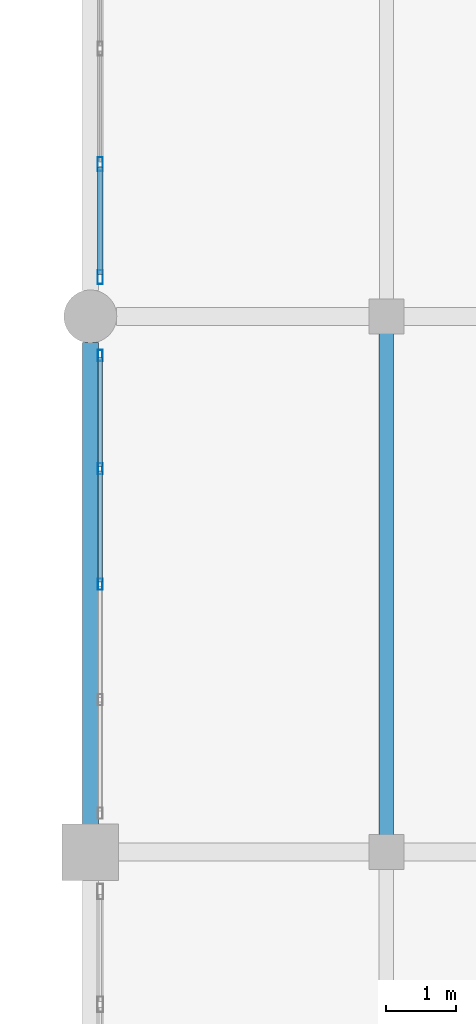
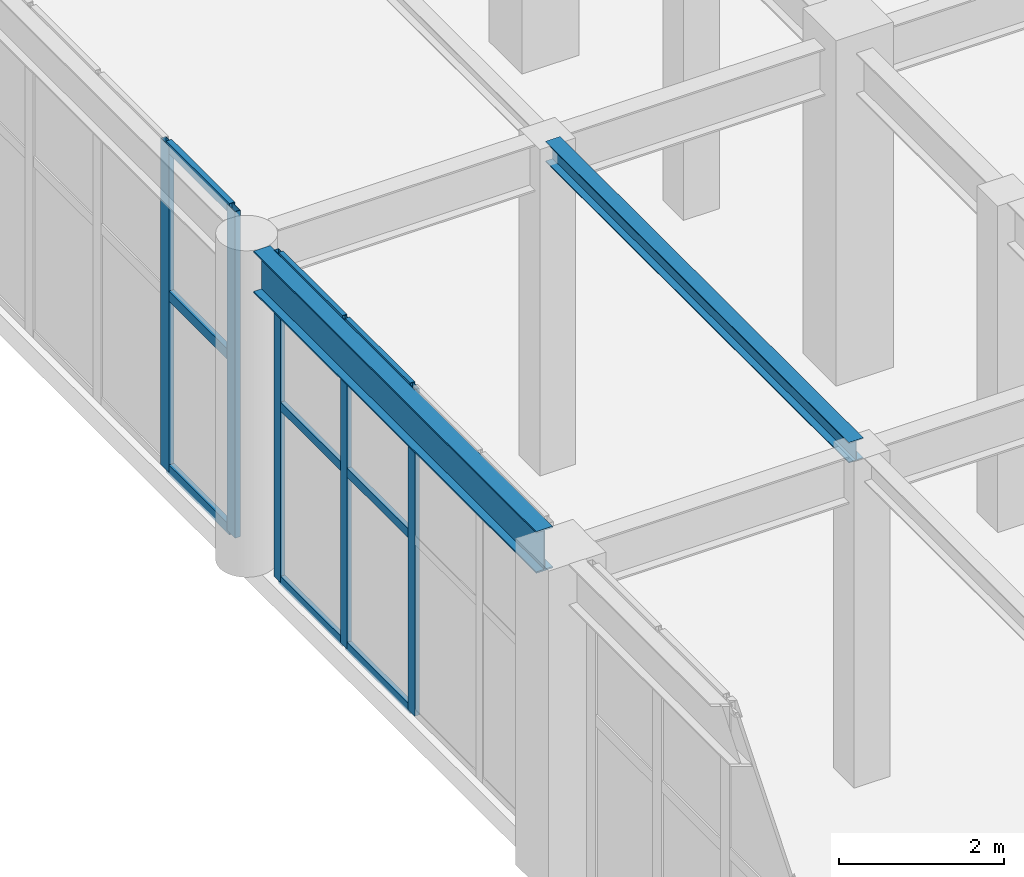
# One storey, part 31 of 128: 14 members, 2 beams, 2 elements without a shape of their own.
"""IFC4 building model written with IfcOpenShell, lengths in metres."""

from ifc_helpers import new_model, si_unit, direction, frame, origin, origin_2d, place, context, subcontext, project, spatial, hollow_rectangle, i_section, extrude, material, layer, layer_set, material_profile, profile_set, type_object, element, aggregate, save


model = new_model("IFC4")

# Units and contexts
model_context = context("Model", 3, precision=1e-05, world=origin(), true_north=direction((0.0, 1.0)))
body_context = subcontext(model_context, "Body", "Model", "MODEL_VIEW")
ifc_project = project(units=[si_unit("LENGTHUNIT", "METRE"), si_unit("AREAUNIT", "SQUARE_METRE"), si_unit("VOLUMEUNIT", "CUBIC_METRE"), si_unit("PLANEANGLEUNIT", "RADIAN"), si_unit("MASSUNIT", "GRAM", prefix="KILO")], contexts=[model_context])

# Site, building, storey
site_placement = place(None, origin())
site = spatial("IfcSite", under=ifc_project, at=site_placement, CompositionType="ELEMENT")
building_placement = place(site_placement, origin())
building = spatial("IfcBuilding", under=site, at=building_placement, Name="Xicomal Pleat Aquarium", CompositionType="ELEMENT")
storey_placement = place(building_placement, frame((0.0, 0.0, 5.39990234375)))
storey = spatial("IfcBuildingStorey", under=building, at=storey_placement, Name="L02", CompositionType="ELEMENT", Elevation=5.39990234375)

# Beams
ifc_material_1 = material(Name="Structural steel A992 Gr 50", Category="steel")
ifc_material_profile_1 = material_profile(ifc_material_1, i_section(OverallWidth=0.202880859375, OverallDepth=0.302978515625, WebThickness=0.007568359375, FlangeThickness=0.01318359375, at=origin_2d()), Name="IR 310x60")
ifc_profile_set_1 = profile_set([ifc_material_profile_1], Name="Structural steel A992 Gr 50")
beam_type_1 = type_object("IfcBeamType", Name="BM-STL-IR310", PredefinedType="JOIST", material=ifc_profile_set_1)
beam_1_placement = place(storey_placement, frame((48.0, 53.3310546875, 4.668701171875), z_axis=(0.0, 1.0, 0.0), x_axis=(-1.0, 0.0, 0.0)))
element("IfcBeam", 1, at=beam_1_placement, inside=storey, type_object=beam_type_1, Name="L02 framing beam FBJ-L02-06-H-1", PredefinedType="JOIST", context=body_context, shape_type="SweptSolid", body=[
    extrude(i_section(OverallWidth=0.202880859375, OverallDepth=0.302978515625, WebThickness=0.007568359375, FlangeThickness=0.01318359375, at=origin_2d()), origin(), (0.0, 0.0, 1.0), 7.337890625),
])
ifc_material_2 = material(Name="Structural steel A992 Gr 50", Category="steel")
ifc_material_profile_2 = material_profile(ifc_material_2, i_section(OverallWidth=0.22998046875, OverallDepth=0.616943359375, WebThickness=0.01318359375, FlangeThickness=0.022216796875, at=origin_2d()), Name="IR 610x140")
ifc_profile_set_2 = profile_set([ifc_material_profile_2], Name="Structural steel A992 Gr 50")
beam_type_2 = type_object("IfcBeamType", Name="BM-STL-IR610", PredefinedType="BEAM", material=ifc_profile_set_2)
beam_2_placement = place(storey_placement, frame((43.800048828125, 53.594970703125, 4.51171875), z_axis=(0.0, 1.0, 0.0), x_axis=(-1.0, 0.0, 0.0)))
element("IfcBeam", 2, at=beam_2_placement, inside=storey, type_object=beam_type_2, Name="L02 framing beam FGY-L02-06-H-J", PredefinedType="BEAM", context=body_context, shape_type="SweptSolid", body=[
    extrude(i_section(OverallWidth=0.22998046875, OverallDepth=0.616943359375, WebThickness=0.01318359375, FlangeThickness=0.022216796875, at=origin_2d()), origin(), (0.0, 0.0, 1.0), 6.8349609375),
])

# Curtain wall, members
ifc_material_3 = material(Name="Bronze anodized aluminium 6063-T6", Category="aluminium")
ifc_layer_1 = layer(ifc_material_3, 0.159912109375)
ifc_layer_set_1 = layer_set([ifc_layer_1], Name="Bronze anodized aluminium 6063-T6")
curtain_wall_type_1 = type_object("IfcCurtainWallType", Name="CW-SYS-02", PredefinedType="NOTDEFINED", material=ifc_layer_set_1)
curtain_wall_1_placement = place(storey_placement, origin())
curtain_wall_1 = element("IfcCurtainWall", 3, at=curtain_wall_1_placement, inside=storey, type_object=curtain_wall_type_1, Name="L02 unitised curtain wall CW-L02-099", PredefinedType="NOTDEFINED")
ifc_material_4 = material(Name="Bronze anodized aluminium 6063-T6", Category="aluminium")
ifc_material_profile_3 = material_profile(ifc_material_4, hollow_rectangle(XDim=0.06494140625, YDim=0.159912109375, WallThickness=0.00390625, at=origin_2d()), Name="ALU MULL 65x160")
ifc_profile_set_3 = profile_set([ifc_material_profile_3], Name="Bronze anodized aluminium 6063-T6")
member_type_1 = type_object("IfcMemberType", Name="CWM-65x160", PredefinedType="MULLION", material=ifc_profile_set_3)
member_1_placement = place(storey_placement, frame((43.93994140625, 57.0, 0.0), z_axis=(0.0, 0.0, 1.0), x_axis=(-1.0, 0.0, 0.0)))
member_1 = element("IfcMember", 4, at=member_1_placement, type_object=member_type_1, Name="CW-02 mullion 3", PredefinedType="MULLION", context=body_context, shape_type="SweptSolid", body=[
    extrude(hollow_rectangle(XDim=0.06494140625, YDim=0.159912109375, WallThickness=0.00390625, at=origin_2d()), origin(), (0.0, 0.0, 1.0), 4.820068359375),
])
member_2_placement = place(storey_placement, frame((43.93994140625, 58.639892578125, 0.0), z_axis=(0.0, 0.0, 1.0), x_axis=(-1.0, 0.0, 0.0)))
member_2 = element("IfcMember", 5, at=member_2_placement, type_object=member_type_1, Name="CW-02 mullion 4", PredefinedType="MULLION", context=body_context, shape_type="SweptSolid", body=[
    extrude(hollow_rectangle(XDim=0.06494140625, YDim=0.159912109375, WallThickness=0.00390625, at=origin_2d()), origin(), (0.0, 0.0, 1.0), 4.820068359375),
])
member_3_placement = place(storey_placement, frame((43.93994140625, 60.24755859375, 0.0), z_axis=(0.0, 0.0, 1.0), x_axis=(-1.0, 0.0, 0.0)))
member_3 = element("IfcMember", 6, at=member_3_placement, type_object=member_type_1, Name="CW-02 mullion 5", PredefinedType="MULLION", context=body_context, shape_type="SweptSolid", body=[
    extrude(hollow_rectangle(XDim=0.06494140625, YDim=0.159912109375, WallThickness=0.00390625, at=origin_2d()), origin(), (0.0, 0.0, 1.0), 4.820068359375),
])

ifc_material_5 = material(Name="Bronze anodized aluminium 6063-T6", Category="aluminium")
ifc_layer_2 = layer(ifc_material_5, 0.159912109375)
ifc_layer_set_2 = layer_set([ifc_layer_2], Name="Bronze anodized aluminium 6063-T6")
curtain_wall_type_2 = type_object("IfcCurtainWallType", Name="CW-SYS-07", PredefinedType="NOTDEFINED", material=ifc_layer_set_2)
curtain_wall_2_placement = place(storey_placement, origin())
curtain_wall_2 = element("IfcCurtainWall", 7, at=curtain_wall_2_placement, inside=storey, type_object=curtain_wall_type_2, Name="L02 unitised curtain wall CW-L02-100", PredefinedType="NOTDEFINED")
ifc_material_6 = material(Name="Bronze anodized aluminium 6063-T6", Category="aluminium")
ifc_material_profile_4 = material_profile(ifc_material_6, hollow_rectangle(XDim=0.074951171875, YDim=0.199951171875, WallThickness=0.00439453125, at=origin_2d()), Name="ALU MULL 75x200")
ifc_profile_set_4 = profile_set([ifc_material_profile_4], Name="Bronze anodized aluminium 6063-T6")
member_type_2 = type_object("IfcMemberType", Name="CWM-75x200", PredefinedType="MULLION", material=ifc_profile_set_4)
member_4_placement = place(storey_placement, frame((43.93994140625, 61.357421875, 0.0), z_axis=(0.0, 0.0, 1.0), x_axis=(-1.0, 0.0, 0.0)))
member_4 = element("IfcMember", 8, at=member_4_placement, type_object=member_type_2, Name="CW-07 mullion 1", PredefinedType="MULLION", context=body_context, shape_type="SweptSolid", body=[
    extrude(hollow_rectangle(XDim=0.074951171875, YDim=0.199951171875, WallThickness=0.00439453125, at=origin_2d()), origin(), (0.0, 0.0, 1.0), 4.820068359375),
])
member_5_placement = place(storey_placement, frame((43.93994140625, 62.9599609375, 0.0), z_axis=(0.0, 0.0, 1.0), x_axis=(-1.0, 0.0, 0.0)))
member_5 = element("IfcMember", 9, at=member_5_placement, type_object=member_type_2, Name="CW-07 mullion 2", PredefinedType="MULLION", context=body_context, shape_type="SweptSolid", body=[
    extrude(hollow_rectangle(XDim=0.074951171875, YDim=0.199951171875, WallThickness=0.00439453125, at=origin_2d()), origin(), (0.0, 0.0, 1.0), 4.820068359375),
])

# Member
ifc_material_7 = material(Name="Bronze anodized aluminium 6063-T6", Category="aluminium")
ifc_material_profile_5 = material_profile(ifc_material_7, hollow_rectangle(XDim=0.06494140625, YDim=0.1298828125, WallThickness=0.00390625, at=origin_2d()), Name="ALU TRAN 65x130")
ifc_profile_set_5 = profile_set([ifc_material_profile_5], Name="Bronze anodized aluminium 6063-T6")
member_type_3 = type_object("IfcMemberType", Name="CWT-65x130", PredefinedType="USERDEFINED", material=ifc_profile_set_5)
member_6_placement = place(storey_placement, frame((43.93994140625, 57.032470703125, 0.03271484375), z_axis=(0.0, 1.0, 0.0), x_axis=(-1.0, 0.0, 0.0)))
member_6 = element("IfcMember", 10, at=member_6_placement, type_object=member_type_3, Name="CW-02 transom 3.1", ObjectType="TRANSOM", PredefinedType="USERDEFINED", context=body_context, shape_type="SweptSolid", body=[
    extrude(hollow_rectangle(XDim=0.06494140625, YDim=0.1298828125, WallThickness=0.00390625, at=origin_2d()), origin(), (0.0, 0.0, 1.0), 1.574951171875),
])

member_7_placement = place(storey_placement, frame((43.93994140625, 57.032470703125, 2.60302734375), z_axis=(0.0, 1.0, 0.0), x_axis=(-1.0, 0.0, 0.0)))
member_7 = element("IfcMember", 11, at=member_7_placement, type_object=member_type_3, Name="CW-02 transom 3.2", ObjectType="TRANSOM", PredefinedType="USERDEFINED", context=body_context, shape_type="SweptSolid", body=[
    extrude(hollow_rectangle(XDim=0.06494140625, YDim=0.1298828125, WallThickness=0.00390625, at=origin_2d()), origin(), (0.0, 0.0, 1.0), 1.574951171875),
])

member_8_placement = place(storey_placement, frame((43.93994140625, 57.032470703125, 4.78759765625), z_axis=(0.0, 1.0, 0.0), x_axis=(-1.0, 0.0, 0.0)))
member_8 = element("IfcMember", 12, at=member_8_placement, type_object=member_type_3, Name="CW-02 transom 3.3", ObjectType="TRANSOM", PredefinedType="USERDEFINED", context=body_context, shape_type="SweptSolid", body=[
    extrude(hollow_rectangle(XDim=0.06494140625, YDim=0.1298828125, WallThickness=0.00390625, at=origin_2d()), origin(), (0.0, 0.0, 1.0), 1.574951171875),
])

member_9_placement = place(storey_placement, frame((43.93994140625, 58.672607421875, 0.03271484375), z_axis=(0.0, 1.0, 0.0), x_axis=(-1.0, 0.0, 0.0)))
member_9 = element("IfcMember", 13, at=member_9_placement, type_object=member_type_3, Name="CW-02 transom 4.1", ObjectType="TRANSOM", PredefinedType="USERDEFINED", context=body_context, shape_type="SweptSolid", body=[
    extrude(hollow_rectangle(XDim=0.06494140625, YDim=0.1298828125, WallThickness=0.00390625, at=origin_2d()), origin(), (0.0, 0.0, 1.0), 1.54248046875),
])

member_10_placement = place(storey_placement, frame((43.93994140625, 58.672607421875, 2.60302734375), z_axis=(0.0, 1.0, 0.0), x_axis=(-1.0, 0.0, 0.0)))
member_10 = element("IfcMember", 14, at=member_10_placement, type_object=member_type_3, Name="CW-02 transom 4.2", ObjectType="TRANSOM", PredefinedType="USERDEFINED", context=body_context, shape_type="SweptSolid", body=[
    extrude(hollow_rectangle(XDim=0.06494140625, YDim=0.1298828125, WallThickness=0.00390625, at=origin_2d()), origin(), (0.0, 0.0, 1.0), 1.54248046875),
])

member_11_placement = place(storey_placement, frame((43.93994140625, 58.672607421875, 4.78759765625), z_axis=(0.0, 1.0, 0.0), x_axis=(-1.0, 0.0, 0.0)))
member_11 = element("IfcMember", 15, at=member_11_placement, type_object=member_type_3, Name="CW-02 transom 4.3", ObjectType="TRANSOM", PredefinedType="USERDEFINED", context=body_context, shape_type="SweptSolid", body=[
    extrude(hollow_rectangle(XDim=0.06494140625, YDim=0.1298828125, WallThickness=0.00390625, at=origin_2d()), origin(), (0.0, 0.0, 1.0), 1.54248046875),
])

aggregate(curtain_wall_1, [member_1, member_2, member_3, member_6, member_7, member_8, member_9, member_10, member_11])

ifc_material_8 = material(Name="Bronze anodized aluminium 6063-T6", Category="aluminium")
ifc_material_profile_6 = material_profile(ifc_material_8, hollow_rectangle(XDim=0.074951171875, YDim=0.14990234375, WallThickness=0.00439453125, at=origin_2d()), Name="ALU TRAN 75x150")
ifc_profile_set_6 = profile_set([ifc_material_profile_6], Name="Bronze anodized aluminium 6063-T6")
member_type_4 = type_object("IfcMemberType", Name="CWT-75x150", PredefinedType="USERDEFINED", material=ifc_profile_set_6)
member_12_placement = place(storey_placement, frame((43.93994140625, 61.39501953125, 0.03759765625), z_axis=(0.0, 1.0, 0.0), x_axis=(-1.0, 0.0, 0.0)))
member_12 = element("IfcMember", 16, at=member_12_placement, type_object=member_type_4, Name="CW-07 transom 1.1", ObjectType="TRANSOM", PredefinedType="USERDEFINED", context=body_context, shape_type="SweptSolid", body=[
    extrude(hollow_rectangle(XDim=0.074951171875, YDim=0.14990234375, WallThickness=0.00439453125, at=origin_2d()), origin(), (0.0, 0.0, 1.0), 1.527587890625),
])

member_13_placement = place(storey_placement, frame((43.93994140625, 61.39501953125, 2.60302734375), z_axis=(0.0, 1.0, 0.0), x_axis=(-1.0, 0.0, 0.0)))
member_13 = element("IfcMember", 17, at=member_13_placement, type_object=member_type_4, Name="CW-07 transom 1.2", ObjectType="TRANSOM", PredefinedType="USERDEFINED", context=body_context, shape_type="SweptSolid", body=[
    extrude(hollow_rectangle(XDim=0.074951171875, YDim=0.14990234375, WallThickness=0.00439453125, at=origin_2d()), origin(), (0.0, 0.0, 1.0), 1.527587890625),
])

member_14_placement = place(storey_placement, frame((43.93994140625, 61.39501953125, 4.78271484375), z_axis=(0.0, 1.0, 0.0), x_axis=(-1.0, 0.0, 0.0)))
member_14 = element("IfcMember", 18, at=member_14_placement, type_object=member_type_4, Name="CW-07 transom 1.3", ObjectType="TRANSOM", PredefinedType="USERDEFINED", context=body_context, shape_type="SweptSolid", body=[
    extrude(hollow_rectangle(XDim=0.074951171875, YDim=0.14990234375, WallThickness=0.00439453125, at=origin_2d()), origin(), (0.0, 0.0, 1.0), 1.527587890625),
])

aggregate(curtain_wall_2, [member_4, member_5, member_12, member_13, member_14])

save(model, "model.ifc")
